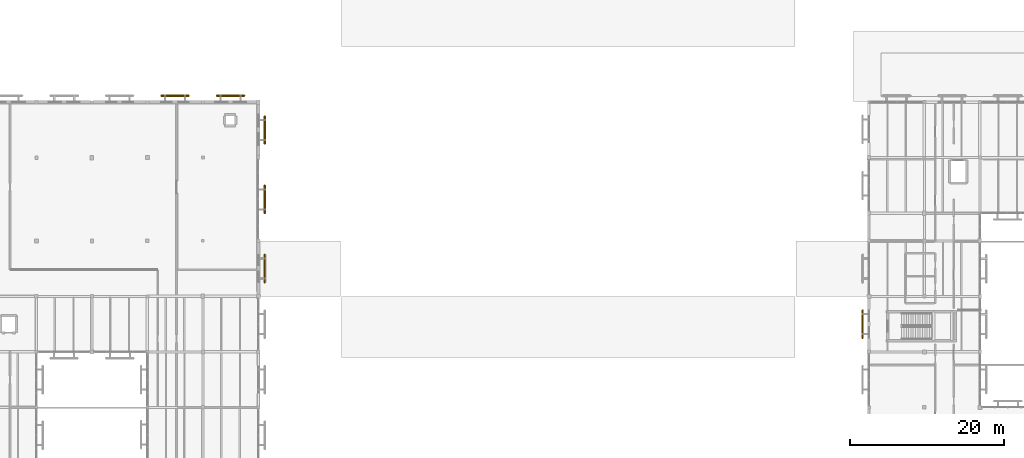
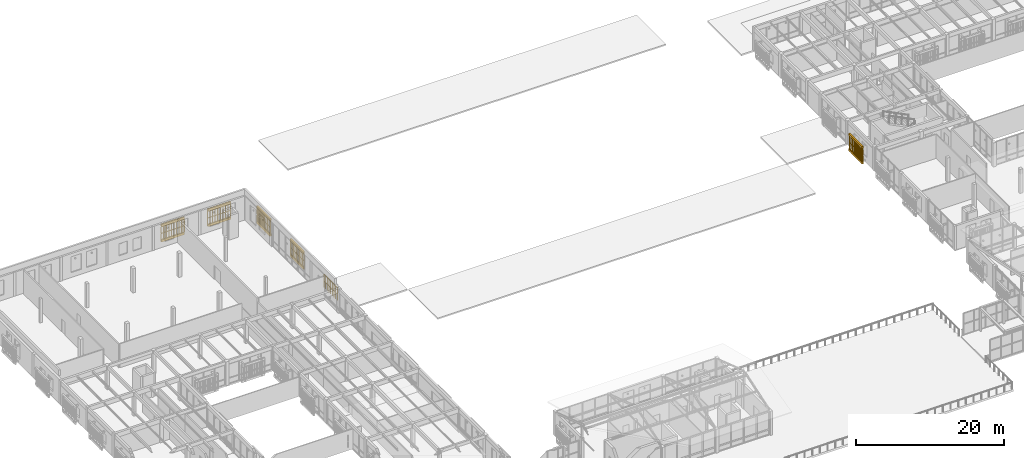
# One storey, part 104 of 112: 12 railings, 10 coverings.
"""IFC4 building model written with IfcOpenShell, lengths in metres."""

from ifc_helpers import new_model, si_unit, direction, frame, origin, origin_2d, place, context, subcontext, project, spatial, polyline, circle, outline, extrude, material, layer, layer_set, type_object, element, save


model = new_model("IFC4")

# Units and contexts
model_context = context("Model", 3, precision=1e-05, world=origin(), true_north=direction((0.0, 1.0)))
body_context = subcontext(model_context, "Body", "Model", "MODEL_VIEW")
ifc_project = project(units=[si_unit("LENGTHUNIT", "METRE"), si_unit("AREAUNIT", "SQUARE_METRE"), si_unit("VOLUMEUNIT", "CUBIC_METRE"), si_unit("PLANEANGLEUNIT", "RADIAN"), si_unit("MASSUNIT", "GRAM", prefix="KILO")], contexts=[model_context])

# Site, building, storey
site_placement = place(None, origin())
site = spatial("IfcSite", under=ifc_project, at=site_placement, CompositionType="ELEMENT")
building_placement = place(site_placement, origin())
building = spatial("IfcBuilding", under=site, at=building_placement, Name="Mazaris Harbour Polytechnic", CompositionType="ELEMENT")
storey_placement = place(building_placement, frame((0.0, 0.0, 13.800048828125)))
storey = spatial("IfcBuildingStorey", under=building, at=storey_placement, Name="L03", CompositionType="ELEMENT", Elevation=13.800048828125)

# Railings
ifc_material_1 = material(Name="Perforated Earth-Coloured Terracotta Block", Category="masonry")
railing_type = type_object("IfcRailingType", Name="Perforated Earth-Block Claustra Lattice 1040", PredefinedType="BALUSTRADE", material=ifc_material_1)
for number, where, name in (
    (1, (30.5849609375, 101.6201171875, 0.52001953125), "V4 L03 Lower Perforated Terracotta Block Screen 257"),
    (2, (30.5849609375, 101.6201171875, 1.60986328125), "V4 L03 Upper Perforated Terracotta Block Screen 257"),
    (3, (37.794921875, 101.6201171875, 0.52001953125), "V4 L03 Lower Perforated Terracotta Block Screen 258"),
    (4, (37.794921875, 101.6201171875, 1.60986328125), "V4 L03 Upper Perforated Terracotta Block Screen 258"),
):
    element("IfcRailing", number, at=place(storey_placement, frame(where)), inside=storey, type_object=railing_type, Name=name, PredefinedType="BALUSTRADE", context=body_context, shape_type="SweptSolid", body=[
        extrude(circle(Radius=0.06982421875, at=origin_2d()), frame((0.0, 0.0, 1.02001953125), z_axis=(1.0, 0.0, 0.0), x_axis=(0.0, 1.0, 0.0)), (0.0, 0.0, 1.0), 3.60009765625),
        extrude(circle(Radius=0.074951171875, at=origin_2d()), origin(), (0.0, 0.0, 1.0), 0.9501953125),
        extrude(circle(Radius=0.074951171875, at=origin_2d()), frame((0.39990234375, 0.0, 0.0)), (0.0, 0.0, 1.0), 0.9501953125),
        extrude(circle(Radius=0.074951171875, at=origin_2d()), frame((0.800048828125, 0.0, 0.0)), (0.0, 0.0, 1.0), 0.9501953125),
        extrude(circle(Radius=0.074951171875, at=origin_2d()), frame((1.199951171875, 0.0, 0.0)), (0.0, 0.0, 1.0), 0.9501953125),
        extrude(circle(Radius=0.074951171875, at=origin_2d()), frame((1.60009765625, 0.0, 0.0)), (0.0, 0.0, 1.0), 0.9501953125),
        extrude(circle(Radius=0.074951171875, at=origin_2d()), frame((2.0, 0.0, 0.0)), (0.0, 0.0, 1.0), 0.9501953125),
        extrude(circle(Radius=0.074951171875, at=origin_2d()), frame((2.400146484375, 0.0, 0.0)), (0.0, 0.0, 1.0), 0.9501953125),
        extrude(circle(Radius=0.074951171875, at=origin_2d()), frame((2.800048828125, 0.0, 0.0)), (0.0, 0.0, 1.0), 0.9501953125),
        extrude(circle(Radius=0.074951171875, at=origin_2d()), frame((3.2001953125, 0.0, 0.0)), (0.0, 0.0, 1.0), 0.9501953125),
        extrude(circle(Radius=0.074951171875, at=origin_2d()), frame((3.60009765625, 0.0, 0.0)), (0.0, 0.0, 1.0), 0.9501953125),
    ])
for number, where, name in (
    (5, (44.02001953125, 81.0048828125, 0.52001953125), "V4 L03 Lower Perforated Terracotta Block Screen 279"),
    (6, (44.02001953125, 81.0048828125, 1.60986328125), "V4 L03 Upper Perforated Terracotta Block Screen 279"),
):
    element("IfcRailing", number, at=place(storey_placement, frame(where)), inside=storey, type_object=railing_type, Name=name, PredefinedType="BALUSTRADE", context=body_context, shape_type="SweptSolid", body=[
        extrude(circle(Radius=0.06982421875, at=origin_2d()), frame((0.0, 0.0, 1.02001953125), z_axis=(0.0, -1.0, 0.0), x_axis=(1.0, 0.0, 0.0)), (0.0, 0.0, 1.0), 3.599853515625),
        extrude(circle(Radius=0.074951171875, at=origin_2d()), origin(), (0.0, 0.0, 1.0), 0.9501953125),
        extrude(circle(Radius=0.074951171875, at=origin_2d()), frame((0.0, -0.449951171875, 0.0)), (0.0, 0.0, 1.0), 0.9501953125),
        extrude(circle(Radius=0.074951171875, at=origin_2d()), frame((0.0, -0.89990234375, 0.0)), (0.0, 0.0, 1.0), 0.9501953125),
        extrude(circle(Radius=0.074951171875, at=origin_2d()), frame((0.0, -1.349853515625, 0.0)), (0.0, 0.0, 1.0), 0.9501953125),
        extrude(circle(Radius=0.074951171875, at=origin_2d()), frame((0.0, -1.7998046875, 0.0)), (0.0, 0.0, 1.0), 0.9501953125),
        extrude(circle(Radius=0.074951171875, at=origin_2d()), frame((0.0, -2.25, 0.0)), (0.0, 0.0, 1.0), 0.9501953125),
        extrude(circle(Radius=0.074951171875, at=origin_2d()), frame((0.0, -2.699951171875, 0.0)), (0.0, 0.0, 1.0), 0.9501953125),
        extrude(circle(Radius=0.074951171875, at=origin_2d()), frame((0.0, -3.14990234375, 0.0)), (0.0, 0.0, 1.0), 0.9501953125),
        extrude(circle(Radius=0.074951171875, at=origin_2d()), frame((0.0, -3.599853515625, 0.0)), (0.0, 0.0, 1.0), 0.9501953125),
    ])
for number, where, name in (
    (7, (44.02001953125, 89.985107421875, 0.52001953125), "V4 L03 Lower Perforated Terracotta Block Screen 280"),
    (8, (44.02001953125, 89.985107421875, 1.60986328125), "V4 L03 Upper Perforated Terracotta Block Screen 280"),
    (9, (44.02001953125, 98.985107421875, 0.52001953125), "V4 L03 Lower Perforated Terracotta Block Screen 281"),
    (10, (44.02001953125, 98.985107421875, 1.60986328125), "V4 L03 Upper Perforated Terracotta Block Screen 281"),
):
    element("IfcRailing", number, at=place(storey_placement, frame(where)), inside=storey, type_object=railing_type, Name=name, PredefinedType="BALUSTRADE", context=body_context, shape_type="SweptSolid", body=[
        extrude(circle(Radius=0.06982421875, at=origin_2d()), frame((0.0, 0.0, 1.02001953125), z_axis=(0.0, -1.0, 0.0), x_axis=(1.0, 0.0, 0.0)), (0.0, 0.0, 1.0), 3.60009765625),
        extrude(circle(Radius=0.074951171875, at=origin_2d()), origin(), (0.0, 0.0, 1.0), 0.9501953125),
        extrude(circle(Radius=0.074951171875, at=origin_2d()), frame((0.0, -0.39990234375, 0.0)), (0.0, 0.0, 1.0), 0.9501953125),
        extrude(circle(Radius=0.074951171875, at=origin_2d()), frame((0.0, -0.800048828125, 0.0)), (0.0, 0.0, 1.0), 0.9501953125),
        extrude(circle(Radius=0.074951171875, at=origin_2d()), frame((0.0, -1.199951171875, 0.0)), (0.0, 0.0, 1.0), 0.9501953125),
        extrude(circle(Radius=0.074951171875, at=origin_2d()), frame((0.0, -1.60009765625, 0.0)), (0.0, 0.0, 1.0), 0.9501953125),
        extrude(circle(Radius=0.074951171875, at=origin_2d()), frame((0.0, -2.0, 0.0)), (0.0, 0.0, 1.0), 0.9501953125),
        extrude(circle(Radius=0.074951171875, at=origin_2d()), frame((0.0, -2.400146484375, 0.0)), (0.0, 0.0, 1.0), 0.9501953125),
        extrude(circle(Radius=0.074951171875, at=origin_2d()), frame((0.0, -2.800048828125, 0.0)), (0.0, 0.0, 1.0), 0.9501953125),
        extrude(circle(Radius=0.074951171875, at=origin_2d()), frame((0.0, -3.2001953125, 0.0)), (0.0, 0.0, 1.0), 0.9501953125),
        extrude(circle(Radius=0.074951171875, at=origin_2d()), frame((0.0, -3.60009765625, 0.0)), (0.0, 0.0, 1.0), 0.9501953125),
    ])
for number, where, name in (
    (11, (121.580078125, 70.18994140625, 0.52001953125), "V5 L03 Lower Perforated Terracotta Block Screen 462"),
    (12, (121.580078125, 70.18994140625, 1.60986328125), "V5 L03 Upper Perforated Terracotta Block Screen 462"),
):
    element("IfcRailing", number, at=place(storey_placement, frame(where)), inside=storey, type_object=railing_type, Name=name, PredefinedType="BALUSTRADE", context=body_context, shape_type="SweptSolid", body=[
        extrude(circle(Radius=0.06982421875, at=origin_2d()), frame((0.0, 0.0, 1.02001953125), z_axis=(0.0, 1.0, 0.0), x_axis=(-1.0, 0.0, 0.0)), (0.0, 0.0, 1.0), 3.60009765625),
        extrude(circle(Radius=0.074951171875, at=origin_2d()), origin(), (0.0, 0.0, 1.0), 0.9501953125),
        extrude(circle(Radius=0.074951171875, at=origin_2d()), frame((0.0, 0.39990234375, 0.0)), (0.0, 0.0, 1.0), 0.9501953125),
        extrude(circle(Radius=0.074951171875, at=origin_2d()), frame((0.0, 0.800048828125, 0.0)), (0.0, 0.0, 1.0), 0.9501953125),
        extrude(circle(Radius=0.074951171875, at=origin_2d()), frame((0.0, 1.199951171875, 0.0)), (0.0, 0.0, 1.0), 0.9501953125),
        extrude(circle(Radius=0.074951171875, at=origin_2d()), frame((0.0, 1.60009765625, 0.0)), (0.0, 0.0, 1.0), 0.9501953125),
        extrude(circle(Radius=0.074951171875, at=origin_2d()), frame((0.0, 2.0, 0.0)), (0.0, 0.0, 1.0), 0.9501953125),
        extrude(circle(Radius=0.074951171875, at=origin_2d()), frame((0.0, 2.400146484375, 0.0)), (0.0, 0.0, 1.0), 0.9501953125),
        extrude(circle(Radius=0.074951171875, at=origin_2d()), frame((0.0, 2.800048828125, 0.0)), (0.0, 0.0, 1.0), 0.9501953125),
        extrude(circle(Radius=0.074951171875, at=origin_2d()), frame((0.0, 3.2001953125, 0.0)), (0.0, 0.0, 1.0), 0.9501953125),
        extrude(circle(Radius=0.074951171875, at=origin_2d()), frame((0.0, 3.60009765625, 0.0)), (0.0, 0.0, 1.0), 0.9501953125),
    ])

# Coverings
ifc_material_2 = material(Name="Perforated Earth-Coloured Terracotta Block", Category="masonry")
ifc_layer = layer(ifc_material_2, 0.219970703125, Name="Perforated Earth-Coloured Terracotta Block")
ifc_layer_set = layer_set([ifc_layer], Name="Perforated Earth-Coloured Terracotta Block")
covering_type = type_object("IfcCoveringType", Name="Terracotta Screen Course Cladding 220", PredefinedType="CLADDING", material=ifc_layer_set)
covering_1_placement = place(storey_placement, frame((0.0, 0.0, 0.159912109375)))
element("IfcCovering", 13, at=covering_1_placement, inside=storey, type_object=covering_type, Name="V4 L03 Perforated Screen Sill Course 257", PredefinedType="CLADDING", context=body_context, shape_type="SweptSolid", body=[
    extrude(outline(polyline([(30.5849609375, 101.510009765625), (34.18505859375, 101.510009765625), (34.18505859375, 101.72998046875), (30.5849609375, 101.72998046875), (30.5849609375, 101.510009765625)])), origin(), (0.0, 0.0, 1.0), 0.360107421875),
])
covering_2_placement = place(storey_placement, frame((0.0, 0.0, 2.699951171875)))
element("IfcCovering", 14, at=covering_2_placement, inside=storey, type_object=covering_type, Name="V4 L03 Perforated Screen Lintel Course 257", PredefinedType="CLADDING", context=body_context, shape_type="SweptSolid", body=[
    extrude(outline(polyline([(30.5849609375, 101.510009765625), (34.18505859375, 101.510009765625), (34.18505859375, 101.72998046875), (30.5849609375, 101.72998046875), (30.5849609375, 101.510009765625)])), origin(), (0.0, 0.0, 1.0), 0.340087890625),
])
covering_3_placement = place(storey_placement, frame((0.0, 0.0, 0.159912109375)))
element("IfcCovering", 15, at=covering_3_placement, inside=storey, type_object=covering_type, Name="V4 L03 Perforated Screen Sill Course 258", PredefinedType="CLADDING", context=body_context, shape_type="SweptSolid", body=[
    extrude(outline(polyline([(37.794921875, 101.510009765625), (41.39501953125, 101.510009765625), (41.39501953125, 101.72998046875), (37.794921875, 101.72998046875), (37.794921875, 101.510009765625)])), origin(), (0.0, 0.0, 1.0), 0.360107421875),
])
covering_4_placement = place(storey_placement, frame((0.0, 0.0, 2.699951171875)))
element("IfcCovering", 16, at=covering_4_placement, inside=storey, type_object=covering_type, Name="V4 L03 Perforated Screen Lintel Course 258", PredefinedType="CLADDING", context=body_context, shape_type="SweptSolid", body=[
    extrude(outline(polyline([(37.794921875, 101.510009765625), (41.39501953125, 101.510009765625), (41.39501953125, 101.72998046875), (37.794921875, 101.72998046875), (37.794921875, 101.510009765625)])), origin(), (0.0, 0.0, 1.0), 0.340087890625),
])
covering_5_placement = place(storey_placement, frame((0.0, 0.0, 0.159912109375)))
element("IfcCovering", 17, at=covering_5_placement, inside=storey, type_object=covering_type, Name="V4 L03 Perforated Screen Sill Course 280", PredefinedType="CLADDING", context=body_context, shape_type="SweptSolid", body=[
    extrude(outline(polyline([(43.909912109375, 89.985107421875), (43.909912109375, 86.385009765625), (44.1298828125, 86.385009765625), (44.1298828125, 89.985107421875), (43.909912109375, 89.985107421875)])), origin(), (0.0, 0.0, 1.0), 0.360107421875),
])
covering_6_placement = place(storey_placement, frame((0.0, 0.0, 2.699951171875)))
element("IfcCovering", 18, at=covering_6_placement, inside=storey, type_object=covering_type, Name="V4 L03 Perforated Screen Lintel Course 280", PredefinedType="CLADDING", context=body_context, shape_type="SweptSolid", body=[
    extrude(outline(polyline([(43.909912109375, 89.985107421875), (43.909912109375, 86.385009765625), (44.1298828125, 86.385009765625), (44.1298828125, 89.985107421875), (43.909912109375, 89.985107421875)])), origin(), (0.0, 0.0, 1.0), 0.340087890625),
])
covering_7_placement = place(storey_placement, frame((0.0, 0.0, 0.159912109375)))
element("IfcCovering", 19, at=covering_7_placement, inside=storey, type_object=covering_type, Name="V4 L03 Perforated Screen Sill Course 281", PredefinedType="CLADDING", context=body_context, shape_type="SweptSolid", body=[
    extrude(outline(polyline([(43.909912109375, 98.985107421875), (43.909912109375, 95.385009765625), (44.1298828125, 95.385009765625), (44.1298828125, 98.985107421875), (43.909912109375, 98.985107421875)])), origin(), (0.0, 0.0, 1.0), 0.360107421875),
])
covering_8_placement = place(storey_placement, frame((0.0, 0.0, 2.699951171875)))
element("IfcCovering", 20, at=covering_8_placement, inside=storey, type_object=covering_type, Name="V4 L03 Perforated Screen Lintel Course 281", PredefinedType="CLADDING", context=body_context, shape_type="SweptSolid", body=[
    extrude(outline(polyline([(43.909912109375, 98.985107421875), (43.909912109375, 95.385009765625), (44.1298828125, 95.385009765625), (44.1298828125, 98.985107421875), (43.909912109375, 98.985107421875)])), origin(), (0.0, 0.0, 1.0), 0.340087890625),
])
covering_9_placement = place(storey_placement, frame((0.0, 0.0, 0.159912109375)))
element("IfcCovering", 21, at=covering_9_placement, inside=storey, type_object=covering_type, Name="V5 L03 Perforated Screen Sill Course 462", PredefinedType="CLADDING", context=body_context, shape_type="SweptSolid", body=[
    extrude(outline(polyline([(121.68994140625, 70.18994140625), (121.68994140625, 73.7900390625), (121.469970703125, 73.7900390625), (121.469970703125, 70.18994140625), (121.68994140625, 70.18994140625)])), origin(), (0.0, 0.0, 1.0), 0.360107421875),
])
covering_10_placement = place(storey_placement, frame((0.0, 0.0, 2.699951171875)))
element("IfcCovering", 22, at=covering_10_placement, inside=storey, type_object=covering_type, Name="V5 L03 Perforated Screen Lintel Course 462", PredefinedType="CLADDING", context=body_context, shape_type="SweptSolid", body=[
    extrude(outline(polyline([(121.68994140625, 70.18994140625), (121.68994140625, 73.7900390625), (121.469970703125, 73.7900390625), (121.469970703125, 70.18994140625), (121.68994140625, 70.18994140625)])), origin(), (0.0, 0.0, 1.0), 0.340087890625),
])

save(model, "model.ifc")
